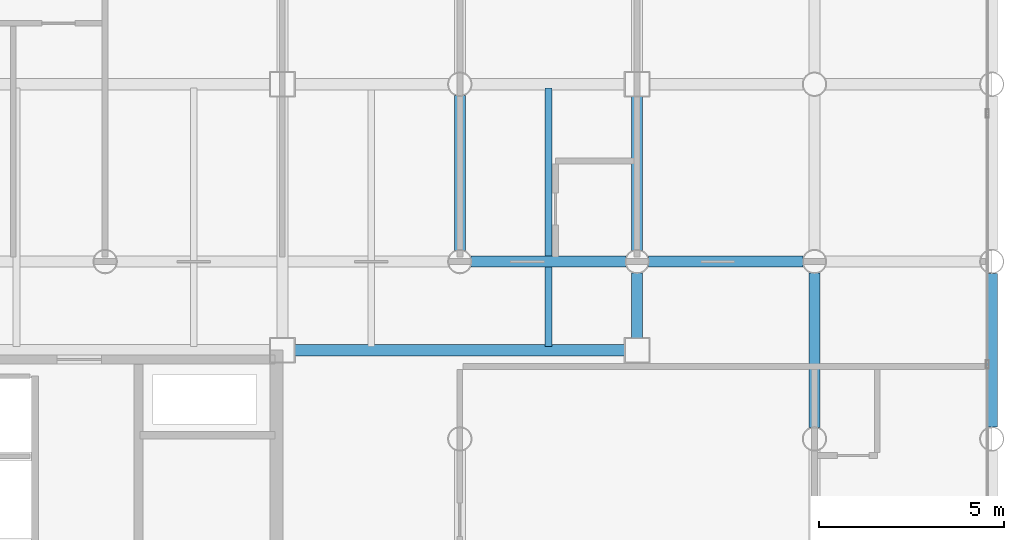
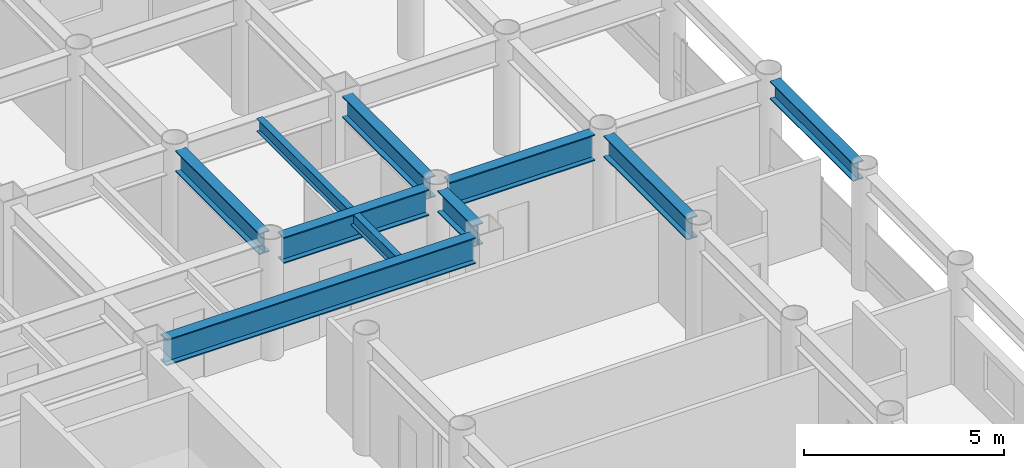
# One storey, part 9 of 22: 9 beams.
"""IFC4 building model written with IfcOpenShell, lengths in metres."""

from ifc_helpers import new_model, si_unit, direction, frame, origin, origin_2d, place, context, subcontext, project, spatial, i_section, extrude, material, material_profile, profile_set, type_object, element, save


model = new_model("IFC4")

# Units and contexts
model_context = context("Model", 3, precision=1e-05, world=origin(), true_north=direction((0.0, 1.0)))
body_context = subcontext(model_context, "Body", "Model", "MODEL_VIEW")
ifc_project = project(units=[si_unit("LENGTHUNIT", "METRE"), si_unit("AREAUNIT", "SQUARE_METRE"), si_unit("VOLUMEUNIT", "CUBIC_METRE"), si_unit("PLANEANGLEUNIT", "RADIAN"), si_unit("MASSUNIT", "GRAM", prefix="KILO")], contexts=[model_context])

# Site, building, storey
site_placement = place(None, origin())
site = spatial("IfcSite", under=ifc_project, at=site_placement, CompositionType="ELEMENT")
building_placement = place(site_placement, origin())
building = spatial("IfcBuilding", under=site, at=building_placement, Name="Kallvorn Hotel Tower", CompositionType="ELEMENT")
storey_placement = place(building_placement, frame((0.0, 0.0, 110.0)))
storey = spatial("IfcBuildingStorey", under=building, at=storey_placement, Name="L26", CompositionType="ELEMENT", Elevation=110.0)

# Beams
ifc_material_1 = material(Name="Structural steel S355JR", Category="steel")
ifc_material_profile_1 = material_profile(ifc_material_1, i_section(OverallWidth=0.300048828125, OverallDepth=0.550048828125, WebThickness=0.014892578125, FlangeThickness=0.029052734375, at=origin_2d()), Name="HE 550 B")
ifc_profile_set_1 = profile_set([ifc_material_profile_1], Name="Structural steel S355JR")
beam_type_1 = type_object("IfcBeamType", Name="BM_HE550B", PredefinedType="SPANDREL", material=ifc_profile_set_1)
beam_1_placement = place(storey_placement, frame((33.60009765625, 5.1201171875, 3.2451171875), z_axis=(0.0, 1.0, 0.0), x_axis=(-1.0, 0.0, 0.0)))
element("IfcBeam", 1, at=beam_1_placement, inside=storey, type_object=beam_type_1, Name="L27 Perimeter Spandrel 186", PredefinedType="SPANDREL", context=body_context, shape_type="SweptSolid", body=[
    extrude(i_section(OverallWidth=0.300048828125, OverallDepth=0.550048828125, WebThickness=0.014892578125, FlangeThickness=0.029052734375, at=origin_2d()), origin(), (0.0, 0.0, 1.0), 4.159912109375),
])
ifc_material_2 = material(Name="Structural steel S355JR", Category="steel")
ifc_material_profile_2 = material_profile(ifc_material_2, i_section(OverallWidth=0.300048828125, OverallDepth=0.64990234375, WebThickness=0.01611328125, FlangeThickness=0.031005859375, at=origin_2d()), Name="HE 650 B")
ifc_profile_set_2 = profile_set([ifc_material_profile_2], Name="Structural steel S355JR")
beam_type_2 = type_object("IfcBeamType", Name="BM_HE650B", PredefinedType="BEAM", material=ifc_profile_set_2)
beam_2_placement = place(storey_placement, frame((19.199951171875, 9.905029296875, 3.195068359375), z_axis=(0.0, 1.0, 0.0), x_axis=(-1.0, 0.0, 0.0)))
element("IfcBeam", 2, at=beam_2_placement, inside=storey, type_object=beam_type_2, Name="L27 Primary Y-Girder 132", PredefinedType="BEAM", context=body_context, shape_type="SweptSolid", body=[
    extrude(i_section(OverallWidth=0.300048828125, OverallDepth=0.64990234375, WebThickness=0.01611328125, FlangeThickness=0.031005859375, at=origin_2d()), origin(), (0.0, 0.0, 1.0), 4.18994140625),
])
beam_3_placement = place(storey_placement, frame((24.0, 7.52490234375, 3.195068359375), z_axis=(0.0, 1.0, 0.0), x_axis=(-1.0, 0.0, 0.0)))
element("IfcBeam", 3, at=beam_3_placement, inside=storey, type_object=beam_type_2, Name="L27 Primary Y-Girder 138", PredefinedType="BEAM", context=body_context, shape_type="SweptSolid", body=[
    extrude(i_section(OverallWidth=0.300048828125, OverallDepth=0.64990234375, WebThickness=0.01611328125, FlangeThickness=0.031005859375, at=origin_2d()), origin(), (0.0, 0.0, 1.0), 1.77001953125),
])
beam_4_placement = place(storey_placement, frame((24.0, 9.905029296875, 3.195068359375), z_axis=(0.0, 1.0, 0.0), x_axis=(-1.0, 0.0, 0.0)))
element("IfcBeam", 4, at=beam_4_placement, inside=storey, type_object=beam_type_2, Name="L27 Primary Y-Girder 139", PredefinedType="BEAM", context=body_context, shape_type="SweptSolid", body=[
    extrude(i_section(OverallWidth=0.300048828125, OverallDepth=0.64990234375, WebThickness=0.01611328125, FlangeThickness=0.031005859375, at=origin_2d()), origin(), (0.0, 0.0, 1.0), 4.169921875),
])
beam_5_placement = place(storey_placement, frame((28.800048828125, 5.10498046875, 3.195068359375), z_axis=(0.0, 1.0, 0.0), x_axis=(-1.0, 0.0, 0.0)))
element("IfcBeam", 5, at=beam_5_placement, inside=storey, type_object=beam_type_2, Name="L27 Primary Y-Girder 147", PredefinedType="BEAM", context=body_context, shape_type="SweptSolid", body=[
    extrude(i_section(OverallWidth=0.300048828125, OverallDepth=0.64990234375, WebThickness=0.01611328125, FlangeThickness=0.031005859375, at=origin_2d()), origin(), (0.0, 0.0, 1.0), 4.18994140625),
])
ifc_material_3 = material(Name="Structural steel S355JR", Category="steel")
ifc_material_profile_3 = material_profile(ifc_material_3, i_section(OverallWidth=0.300048828125, OverallDepth=0.800048828125, WebThickness=0.017578125, FlangeThickness=0.032958984375, at=origin_2d()), Name="HE 800 B")
ifc_profile_set_3 = profile_set([ifc_material_profile_3], Name="Structural steel S355JR")
beam_type_3 = type_object("IfcBeamType", Name="BM_HE800B", PredefinedType="BEAM", material=ifc_profile_set_3)
beam_6_placement = place(storey_placement, frame((14.72509765625, 7.199951171875, 3.1201171875), z_axis=(1.0, 0.0, 0.0), x_axis=(0.0, 1.0, 0.0)))
element("IfcBeam", 6, at=beam_6_placement, inside=storey, type_object=beam_type_3, Name="L27 Primary X-Girder 40", PredefinedType="BEAM", context=body_context, shape_type="SweptSolid", body=[
    extrude(i_section(OverallWidth=0.300048828125, OverallDepth=0.800048828125, WebThickness=0.017578125, FlangeThickness=0.032958984375, at=origin_2d()), origin(), (0.0, 0.0, 1.0), 8.949951171875),
])
for number, where, z_axis, x_axis, name in (
    (7, (19.5048828125, 9.60009765625, 3.1201171875), (1.0, 0.0, 0.0), (0.0, 1.0, 0.0), "L27 Primary X-Girder 47"),
    (8, (24.304931640625, 9.60009765625, 3.1201171875), (1.0, 0.0, 0.0), (0.0, 1.0, 0.0), "L27 Primary X-Girder 48"),
):
    element("IfcBeam", number, at=place(storey_placement, frame(where, z_axis=z_axis, x_axis=x_axis)), inside=storey, type_object=beam_type_3, Name=name, PredefinedType="BEAM", context=body_context, shape_type="SweptSolid", body=[
        extrude(i_section(OverallWidth=0.300048828125, OverallDepth=0.800048828125, WebThickness=0.017578125, FlangeThickness=0.032958984375, at=origin_2d()), origin(), (0.0, 0.0, 1.0), 4.190185546875),
    ])
ifc_material_4 = material(Name="Structural steel S355JR", Category="steel")
ifc_material_profile_4 = material_profile(ifc_material_4, i_section(OverallWidth=0.179931640625, OverallDepth=0.39990234375, WebThickness=0.008544921875, FlangeThickness=0.013427734375, at=origin_2d()), Name="IPE 400")
ifc_profile_set_4 = profile_set([ifc_material_profile_4], Name="Structural steel S355JR")
beam_type_4 = type_object("IfcBeamType", Name="BM_IPE400", PredefinedType="JOIST", material=ifc_profile_set_4)
beam_7_placement = place(storey_placement, frame((21.60009765625, 7.300048828125, 3.320068359375), z_axis=(0.0, 1.0, 0.0), x_axis=(-1.0, 0.0, 0.0)))
element("IfcBeam", 9, at=beam_7_placement, inside=storey, type_object=beam_type_4, Name="L27 Secondary Composite Joist 209", PredefinedType="JOIST", context=body_context, shape_type="SweptSolid", body=[
    extrude(i_section(OverallWidth=0.179931640625, OverallDepth=0.39990234375, WebThickness=0.008544921875, FlangeThickness=0.013427734375, at=origin_2d()), origin(), (0.0, 0.0, 1.0), 7.0),
])

save(model, "model.ifc")
